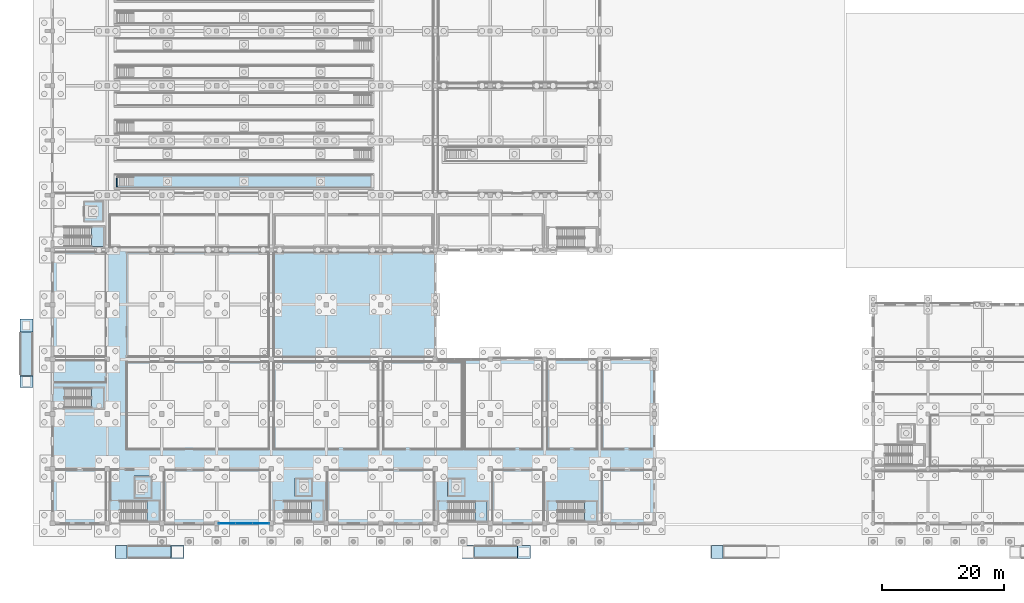
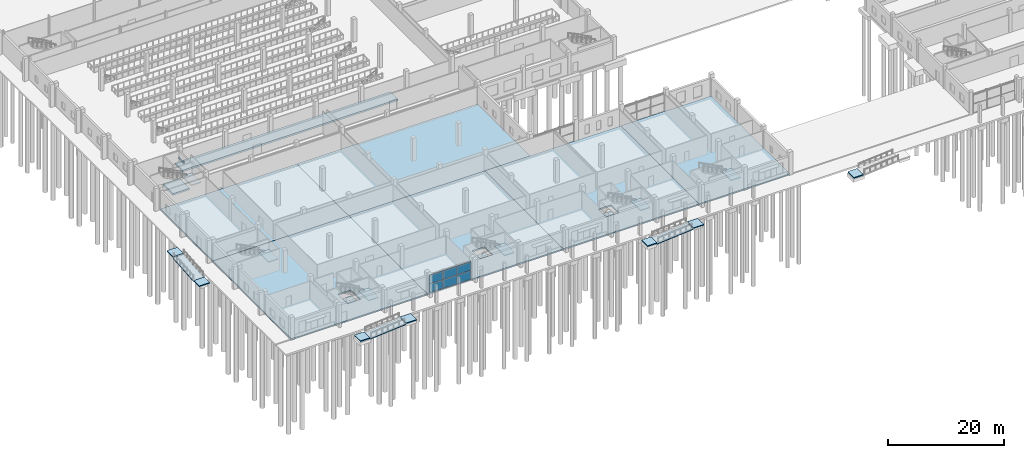
# One storey, part 57 of 112: 28 slabs, 6 plates, 7 elements without a shape of their own.
"""IFC4 building model written with IfcOpenShell, lengths in metres."""

from ifc_helpers import new_model, si_unit, direction, frame, origin, origin_2d, place, context, subcontext, project, spatial, polyline, rectangle, outline, extrude, material, layer, layer_set, type_object, element, aggregate, save


model = new_model("IFC4")

# Units and contexts
model_context = context("Model", 3, precision=1e-05, world=origin(), true_north=direction((0.0, 1.0)))
body_context = subcontext(model_context, "Body", "Model", "MODEL_VIEW")
ifc_project = project(units=[si_unit("LENGTHUNIT", "METRE"), si_unit("AREAUNIT", "SQUARE_METRE"), si_unit("VOLUMEUNIT", "CUBIC_METRE"), si_unit("PLANEANGLEUNIT", "RADIAN"), si_unit("MASSUNIT", "GRAM", prefix="KILO")], contexts=[model_context])

# Site, building, storey
site_placement = place(None, origin())
site = spatial("IfcSite", under=ifc_project, at=site_placement, CompositionType="ELEMENT")
building_placement = place(site_placement, origin())
building = spatial("IfcBuilding", under=site, at=building_placement, Name="Tharagai Park Tramway Depot", CompositionType="ELEMENT")
storey_placement = place(building_placement, origin())
storey = spatial("IfcBuildingStorey", under=building, at=storey_placement, Name="L00", CompositionType="ELEMENT", Elevation=0.0)

# Curtain wall, plates
ifc_material_1 = material(Name="Anodised aluminium", Category="aluminium")
curtain_wall_type = type_object("IfcCurtainWallType", Name="CW-05", PredefinedType="NOTDEFINED", material=ifc_material_1)
curtain_wall_placement = place(storey_placement, origin())
curtain_wall = element("IfcCurtainWall", 1, at=curtain_wall_placement, inside=storey, type_object=curtain_wall_type, Name="L00 V4 Gothic Mullioned Curtain Wall CW-05", PredefinedType="NOTDEFINED")
ifc_material_2 = material(Name="Laminated solar-control glass", Category="glass")
ifc_layer_1 = layer(ifc_material_2, 0.028076171875)
ifc_layer_set_1 = layer_set([ifc_layer_1], Name="Laminated solar-control glass")
plate_type = type_object("IfcPlateType", Name="CP-02", PredefinedType="CURTAIN_PANEL", material=ifc_layer_set_1)
plate_1_placement = place(storey_placement, frame((28.743408203125, 0.0, 0.080078125), z_axis=(0.0, 0.0, 1.0), x_axis=(1.0, 0.0, 0.0)))
plate_1 = element("IfcPlate", 2, at=plate_1_placement, type_object=plate_type, Name="L00 V4 Gothic Mullioned Curtain Wall Glazed Panel 1.1", PredefinedType="CURTAIN_PANEL", context=body_context, shape_type="SweptSolid", body=[
    extrude(rectangle(XDim=2.736572265625, YDim=0.028076171875, at=origin_2d()), origin(), (0.0, 0.0, 1.0), 1.824951171875),
])
plate_2_placement = place(storey_placement, frame((28.743408203125, 0.0, 1.94482421875), z_axis=(0.0, 0.0, 1.0), x_axis=(1.0, 0.0, 0.0)))
plate_2 = element("IfcPlate", 3, at=plate_2_placement, type_object=plate_type, Name="L00 V4 Gothic Mullioned Curtain Wall Glazed Panel 1.2", PredefinedType="CURTAIN_PANEL", context=body_context, shape_type="SweptSolid", body=[
    extrude(rectangle(XDim=2.736572265625, YDim=0.028076171875, at=origin_2d()), origin(), (0.0, 0.0, 1.0), 1.804931640625),
])
plate_3_placement = place(storey_placement, frame((31.5, 0.0, 0.080078125), z_axis=(0.0, 0.0, 1.0), x_axis=(1.0, 0.0, 0.0)))
plate_3 = element("IfcPlate", 4, at=plate_3_placement, type_object=plate_type, Name="L00 V4 Gothic Mullioned Curtain Wall Glazed Panel 2.1", PredefinedType="CURTAIN_PANEL", context=body_context, shape_type="SweptSolid", body=[
    extrude(rectangle(XDim=2.736572265625, YDim=0.028076171875, at=origin_2d()), origin(), (0.0, 0.0, 1.0), 1.824951171875),
])
plate_4_placement = place(storey_placement, frame((31.5, 0.0, 1.94482421875), z_axis=(0.0, 0.0, 1.0), x_axis=(1.0, 0.0, 0.0)))
plate_4 = element("IfcPlate", 5, at=plate_4_placement, type_object=plate_type, Name="L00 V4 Gothic Mullioned Curtain Wall Glazed Panel 2.2", PredefinedType="CURTAIN_PANEL", context=body_context, shape_type="SweptSolid", body=[
    extrude(rectangle(XDim=2.736572265625, YDim=0.028076171875, at=origin_2d()), origin(), (0.0, 0.0, 1.0), 1.804931640625),
])
plate_5_placement = place(storey_placement, frame((34.256591796875, 0.0, 0.080078125), z_axis=(0.0, 0.0, 1.0), x_axis=(1.0, 0.0, 0.0)))
plate_5 = element("IfcPlate", 6, at=plate_5_placement, type_object=plate_type, Name="L00 V4 Gothic Mullioned Curtain Wall Glazed Panel 3.1", PredefinedType="CURTAIN_PANEL", context=body_context, shape_type="SweptSolid", body=[
    extrude(rectangle(XDim=2.736572265625, YDim=0.028076171875, at=origin_2d()), origin(), (0.0, 0.0, 1.0), 1.824951171875),
])
plate_6_placement = place(storey_placement, frame((34.256591796875, 0.0, 1.94482421875), z_axis=(0.0, 0.0, 1.0), x_axis=(1.0, 0.0, 0.0)))
plate_6 = element("IfcPlate", 7, at=plate_6_placement, type_object=plate_type, Name="L00 V4 Gothic Mullioned Curtain Wall Glazed Panel 3.2", PredefinedType="CURTAIN_PANEL", context=body_context, shape_type="SweptSolid", body=[
    extrude(rectangle(XDim=2.736572265625, YDim=0.028076171875, at=origin_2d()), origin(), (0.0, 0.0, 1.0), 1.804931640625),
])
aggregate(curtain_wall, [plate_1, plate_2, plate_3, plate_4, plate_5, plate_6])

# Stair, slab
ifc_material_3 = material(Name="Concrete M35", Category="concrete")
stair_type = type_object("IfcStairType", Name="STT-02", PredefinedType="HALF_TURN_STAIR", material=ifc_material_3)
stair_1_placement = place(storey_placement, origin())
stair_1 = element("IfcStair", 8, at=stair_1_placement, inside=storey, type_object=stair_type, Name="L00 Protected Exit Stair ST-01", PredefinedType="HALF_TURN_STAIR")
ifc_layer_2 = layer(ifc_material_3, 0.199951171875)
ifc_layer_set_2 = layer_set([ifc_layer_2], Name="Concrete M35")
slab_type_1 = type_object("IfcSlabType", Name="LN-01", PredefinedType="LANDING", material=ifc_layer_set_2)
slab_1_placement = place(storey_placement, frame((0.0, 0.0, 2.199951171875)))
slab_1 = element("IfcSlab", 9, at=slab_1_placement, type_object=slab_type_1, Name="ST-01 landing 1", PredefinedType="LANDING", context=body_context, shape_type="SweptSolid", body=[
    extrude(outline(polyline([(15.570068359375, 0.39990234375), (17.47998046875, 0.39990234375), (17.47998046875, 3.64990234375), (15.570068359375, 3.64990234375), (15.570068359375, 0.39990234375)])), origin(), (0.0, 0.0, 1.0), 0.199951171875),
])
aggregate(stair_1, [slab_1])

stair_2_placement = place(storey_placement, origin())
stair_2 = element("IfcStair", 10, at=stair_2_placement, inside=storey, type_object=stair_type, Name="L00 Protected Exit Stair ST-02", PredefinedType="HALF_TURN_STAIR")
slab_2_placement = place(storey_placement, frame((0.0, 0.0, 2.199951171875)))
slab_2 = element("IfcSlab", 11, at=slab_2_placement, type_object=slab_type_1, Name="ST-02 landing 1", PredefinedType="LANDING", context=body_context, shape_type="SweptSolid", body=[
    extrude(outline(polyline([(42.570068359375, 0.39990234375), (44.47998046875, 0.39990234375), (44.47998046875, 3.64990234375), (42.570068359375, 3.64990234375), (42.570068359375, 0.39990234375)])), origin(), (0.0, 0.0, 1.0), 0.199951171875),
])
aggregate(stair_2, [slab_2])

stair_3_placement = place(storey_placement, origin())
stair_3 = element("IfcStair", 12, at=stair_3_placement, inside=storey, type_object=stair_type, Name="L00 Protected Exit Stair ST-03", PredefinedType="HALF_TURN_STAIR")
slab_3_placement = place(storey_placement, frame((0.0, 0.0, 2.199951171875)))
slab_3 = element("IfcSlab", 13, at=slab_3_placement, type_object=slab_type_1, Name="ST-03 landing 1", PredefinedType="LANDING", context=body_context, shape_type="SweptSolid", body=[
    extrude(outline(polyline([(6.449951171875, 19.0), (8.360107421875, 19.0), (8.360107421875, 22.25), (6.449951171875, 22.25), (6.449951171875, 19.0)])), origin(), (0.0, 0.0, 1.0), 0.199951171875),
])
aggregate(stair_3, [slab_3])

stair_4_placement = place(storey_placement, origin())
stair_4 = element("IfcStair", 14, at=stair_4_placement, inside=storey, type_object=stair_type, Name="L00 Protected Exit Stair ST-04", PredefinedType="HALF_TURN_STAIR")
slab_4_placement = place(storey_placement, frame((0.0, 0.0, 2.199951171875)))
slab_4 = element("IfcSlab", 15, at=slab_4_placement, type_object=slab_type_1, Name="ST-04 landing 1", PredefinedType="LANDING", context=body_context, shape_type="SweptSolid", body=[
    extrude(outline(polyline([(69.5400390625, 0.39990234375), (71.47998046875, 0.39990234375), (71.47998046875, 3.590087890625), (69.5400390625, 3.590087890625), (69.5400390625, 0.39990234375)])), origin(), (0.0, 0.0, 1.0), 0.199951171875),
])
aggregate(stair_4, [slab_4])

stair_5_placement = place(storey_placement, origin())
stair_5 = element("IfcStair", 16, at=stair_5_placement, inside=storey, type_object=stair_type, Name="L00 Protected Exit Stair ST-05", PredefinedType="HALF_TURN_STAIR")
slab_5_placement = place(storey_placement, frame((0.0, 0.0, 2.199951171875)))
slab_5 = element("IfcSlab", 17, at=slab_5_placement, type_object=slab_type_1, Name="ST-05 landing 1", PredefinedType="LANDING", context=body_context, shape_type="SweptSolid", body=[
    extrude(outline(polyline([(87.5400390625, 0.39990234375), (89.47998046875, 0.39990234375), (89.47998046875, 3.590087890625), (87.5400390625, 3.590087890625), (87.5400390625, 0.39990234375)])), origin(), (0.0, 0.0, 1.0), 0.199951171875),
])
aggregate(stair_5, [slab_5])

stair_6_placement = place(storey_placement, origin())
stair_6 = element("IfcStair", 18, at=stair_6_placement, inside=storey, type_object=stair_type, Name="L00 Protected Exit Stair ST-08", PredefinedType="HALF_TURN_STAIR")
slab_6_placement = place(storey_placement, frame((0.0, 0.0, 2.199951171875)))
slab_6 = element("IfcSlab", 19, at=slab_6_placement, type_object=slab_type_1, Name="ST-08 landing 1", PredefinedType="LANDING", context=body_context, shape_type="SweptSolid", body=[
    extrude(outline(polyline([(6.419921875, 45.550048828125), (8.360107421875, 45.550048828125), (8.360107421875, 48.739990234375), (6.419921875, 48.739990234375), (6.419921875, 45.550048828125)])), origin(), (0.0, 0.0, 1.0), 0.199951171875),
])
aggregate(stair_6, [slab_6])

# Slabs
ifc_material_4 = material(Name="Concrete M40", Category="concrete")
ifc_layer_3 = layer(ifc_material_4, 0.35009765625)
ifc_layer_set_3 = layer_set([ifc_layer_3], Name="Concrete M40")
slab_type_2 = type_object("IfcSlabType", Name="SB-02", PredefinedType="BASESLAB", material=ifc_layer_set_3)
slab_7_placement = place(storey_placement, frame((0.0, 0.0, -1.85009765625)))
element("IfcSlab", 20, at=slab_7_placement, inside=storey, type_object=slab_type_2, Name="Inspection Pit Track 1 Base Slab", PredefinedType="BASESLAB", context=body_context, shape_type="SweptSolid", body=[
    extrude(outline(polyline([(10.14990234375, 54.949951171875), (52.85009765625, 54.949951171875), (52.85009765625, 57.550048828125), (10.14990234375, 57.550048828125), (10.14990234375, 54.949951171875)])), origin(), (0.0, 0.0, 1.0), 0.35009765625),
])
slab_8_placement = place(storey_placement, frame((0.0, 0.0, -1.75)))
element("IfcSlab", 21, at=slab_8_placement, inside=storey, type_object=slab_type_2, Name="Lift LF-01 Pit Base Slab", PredefinedType="BASESLAB", context=body_context, shape_type="SweptSolid", body=[
    extrude(outline(polyline([(13.39990234375, 4.10009765625), (16.39990234375, 4.10009765625), (16.39990234375, 7.800048828125), (13.39990234375, 7.800048828125), (13.39990234375, 4.10009765625)])), origin(), (0.0, 0.0, 1.0), 0.35009765625),
])
slab_9_placement = place(storey_placement, frame((0.0, 0.0, -1.75)))
element("IfcSlab", 22, at=slab_9_placement, inside=storey, type_object=slab_type_2, Name="Lift LP-01 Pit Base Slab", PredefinedType="BASESLAB", context=body_context, shape_type="SweptSolid", body=[
    extrude(outline(polyline([(39.89990234375, 4.39990234375), (42.800048828125, 4.39990234375), (42.800048828125, 7.5), (39.89990234375, 7.5), (39.89990234375, 4.39990234375)])), origin(), (0.0, 0.0, 1.0), 0.35009765625),
])
slab_10_placement = place(storey_placement, frame((0.0, 0.0, -1.75)))
element("IfcSlab", 23, at=slab_10_placement, inside=storey, type_object=slab_type_2, Name="Lift LP-02 Pit Base Slab", PredefinedType="BASESLAB", context=body_context, shape_type="SweptSolid", body=[
    extrude(outline(polyline([(65.0, 4.39990234375), (67.89990234375, 4.39990234375), (67.89990234375, 7.5), (65.0, 7.5), (65.0, 4.39990234375)])), origin(), (0.0, 0.0, 1.0), 0.35009765625),
])
slab_11_placement = place(storey_placement, frame((0.0, 0.0, -1.75)))
element("IfcSlab", 24, at=slab_11_placement, inside=storey, type_object=slab_type_2, Name="Lift LG-01 Pit Base Slab", PredefinedType="BASESLAB", context=body_context, shape_type="SweptSolid", body=[
    extrude(outline(polyline([(5.10009765625, 49.60009765625), (8.39990234375, 49.60009765625), (8.39990234375, 53.0), (5.10009765625, 53.0), (5.10009765625, 49.60009765625)])), origin(), (0.0, 0.0, 1.0), 0.35009765625),
])
ifc_layer_4 = layer(ifc_material_3, 0.300048828125)
ifc_layer_set_4 = layer_set([ifc_layer_4], Name="Concrete M35")
slab_type_3 = type_object("IfcSlabType", Name="SB-05", PredefinedType="BASESLAB", material=ifc_layer_set_4)
slab_12_placement = place(storey_placement, frame((0.0, 0.0, -0.300048828125)))
element("IfcSlab", 25, at=slab_12_placement, inside=storey, type_object=slab_type_3, Name="L00 V4 Ground Slab Bay 1", PredefinedType="BASESLAB", context=body_context, shape_type="SweptSolid", body=[
    extrude(outline(polyline([(0.0, 0.0), (27.0, 0.0), (27.0, 27.0), (0.0, 27.0), (0.0, 0.0)]), holes=[polyline([(13.60009765625, 4.300048828125), (16.199951171875, 4.300048828125), (16.199951171875, 7.60009765625), (13.60009765625, 7.60009765625), (13.60009765625, 4.300048828125)])]), origin(), (0.0, 0.0, 1.0), 0.300048828125),
])
slab_13_placement = place(storey_placement, frame((0.0, 0.0, -0.300048828125)))
element("IfcSlab", 26, at=slab_13_placement, inside=storey, type_object=slab_type_3, Name="L00 V4 Ground Slab Bay 2", PredefinedType="BASESLAB", context=body_context, shape_type="SweptSolid", body=[
    extrude(outline(polyline([(27.0, 0.0), (54.0, 0.0), (54.0, 27.0), (27.0, 27.0), (27.0, 0.0)]), holes=[polyline([(40.10009765625, 4.60009765625), (42.60009765625, 4.60009765625), (42.60009765625, 7.300048828125), (40.10009765625, 7.300048828125), (40.10009765625, 4.60009765625)])]), origin(), (0.0, 0.0, 1.0), 0.300048828125),
])
slab_14_placement = place(storey_placement, frame((0.0, 0.0, -0.300048828125)))
element("IfcSlab", 27, at=slab_14_placement, inside=storey, type_object=slab_type_3, Name="L00 V4 Ground Slab Bay 3", PredefinedType="BASESLAB", context=body_context, shape_type="SweptSolid", body=[
    extrude(outline(polyline([(54.0, 0.0), (81.0, 0.0), (81.0, 27.0), (54.0, 27.0), (54.0, 0.0)]), holes=[polyline([(65.199951171875, 4.60009765625), (67.699951171875, 4.60009765625), (67.699951171875, 7.300048828125), (65.199951171875, 7.300048828125), (65.199951171875, 4.60009765625)])]), origin(), (0.0, 0.0, 1.0), 0.300048828125),
])
slab_15_placement = place(storey_placement, frame((0.0, 0.0, -0.300048828125)))
element("IfcSlab", 28, at=slab_15_placement, inside=storey, type_object=slab_type_3, Name="L00 V4 Ground Slab Bay 4", PredefinedType="BASESLAB", context=body_context, shape_type="SweptSolid", body=[
    extrude(outline(polyline([(81.0, 0.0), (99.0, 0.0), (99.0, 27.0), (81.0, 27.0), (81.0, 0.0)])), origin(), (0.0, 0.0, 1.0), 0.300048828125),
])
slab_16_placement = place(storey_placement, frame((0.0, 0.0, -0.300048828125)))
element("IfcSlab", 29, at=slab_16_placement, inside=storey, type_object=slab_type_3, Name="L00 V4 Ground Slab Bay 1", PredefinedType="BASESLAB", context=body_context, shape_type="SweptSolid", body=[
    extrude(outline(polyline([(0.0, 27.0), (27.0, 27.0), (27.0, 45.0), (0.0, 45.0), (0.0, 27.0)])), origin(), (0.0, 0.0, 1.0), 0.300048828125),
])
slab_17_placement = place(storey_placement, frame((0.0, 0.0, -0.300048828125)))
element("IfcSlab", 30, at=slab_17_placement, inside=storey, type_object=slab_type_3, Name="L00 V4 Ground Slab Bay 2", PredefinedType="BASESLAB", context=body_context, shape_type="SweptSolid", body=[
    extrude(outline(polyline([(27.0, 27.0), (63.0, 27.0), (63.0, 45.0), (27.0, 45.0), (27.0, 27.0)])), origin(), (0.0, 0.0, 1.0), 0.300048828125),
])
ifc_layer_5 = layer(ifc_material_3, 0.159912109375)
ifc_layer_set_5 = layer_set([ifc_layer_5], Name="Concrete M35")
slab_type_4 = type_object("IfcSlabType", Name="SB-07", PredefinedType="LANDING", material=ifc_layer_set_5)
for number, where, z_axis, x_axis, name in (
    (31, (12.340087890625, -5.75, -0.81494140625), (-0.083953161792, 0.0, 0.99646970181), (0.0, 1.0, 0.0), "Ramp RMP-01 Sloped Structural Sub-Slab"),
    (32, (69.340087890625, -5.75, -0.81494140625), (-0.083953161792, 0.0, 0.99646970181), (0.0, 1.0, 0.0), "Ramp RMP-02 Sloped Structural Sub-Slab"),
    (33, (-3.25, 24.340087890625, -0.81494140625), (0.0, -0.083953161792, 0.99646970181), (-1.0, 0.0, 0.0), "Ramp RMP-04 Sloped Structural Sub-Slab"),
):
    element("IfcSlab", number, at=place(storey_placement, frame(where, z_axis=z_axis, x_axis=x_axis)), inside=storey, type_object=slab_type_4, Name=name, PredefinedType="LANDING", context=body_context, shape_type="SweptSolid", body=[
        extrude(outline(polyline([(0.0, 0.0), (2.10009765625, 0.0), (2.10009765625, -7.145097371192696), (0.0, -7.145097371192696), (0.0, 0.0)])), origin(), (0.0, 0.0, -1.0), 0.159912109375),
    ])
ifc_layer_6 = layer(ifc_material_3, 0.205078125)
ifc_layer_set_6 = layer_set([ifc_layer_6], Name="Concrete M35")
slab_type_5 = type_object("IfcSlabType", Name="SB-08", PredefinedType="LANDING", material=ifc_layer_set_6)
slab_18_placement = place(storey_placement, frame((0.0, 0.0, -0.804931640625)))
element("IfcSlab", 34, at=slab_18_placement, inside=storey, type_object=slab_type_5, Name="Ramp RMP-01 Bottom Landing", PredefinedType="LANDING", context=body_context, shape_type="SweptSolid", body=[
    extrude(outline(polyline([(10.39990234375, -5.75), (12.280029296875, -5.75), (12.280029296875, -3.64990234375), (10.39990234375, -3.64990234375), (10.39990234375, -5.75)])), origin(), (0.0, 0.0, 1.0), 0.204833984375),
])
slab_19_placement = place(storey_placement, frame((0.0, 0.0, -0.205078125)))
element("IfcSlab", 35, at=slab_19_placement, inside=storey, type_object=slab_type_5, Name="Ramp RMP-01 Top Landing", PredefinedType="LANDING", context=body_context, shape_type="SweptSolid", body=[
    extrude(outline(polyline([(19.52001953125, -5.75), (21.60009765625, -5.75), (21.60009765625, -3.64990234375), (19.52001953125, -3.64990234375), (19.52001953125, -5.75)])), origin(), (0.0, 0.0, 1.0), 0.205078125),
])
slab_20_placement = place(storey_placement, frame((0.0, 0.0, -0.804931640625)))
element("IfcSlab", 36, at=slab_20_placement, inside=storey, type_object=slab_type_5, Name="Ramp RMP-02 Bottom Landing", PredefinedType="LANDING", context=body_context, shape_type="SweptSolid", body=[
    extrude(outline(polyline([(67.39990234375, -5.75), (69.280029296875, -5.75), (69.280029296875, -3.64990234375), (67.39990234375, -3.64990234375), (67.39990234375, -5.75)])), origin(), (0.0, 0.0, 1.0), 0.204833984375),
])
slab_21_placement = place(storey_placement, frame((0.0, 0.0, -0.205078125)))
element("IfcSlab", 37, at=slab_21_placement, inside=storey, type_object=slab_type_5, Name="Ramp RMP-02 Top Landing", PredefinedType="LANDING", context=body_context, shape_type="SweptSolid", body=[
    extrude(outline(polyline([(76.52001953125, -5.75), (78.60009765625, -5.75), (78.60009765625, -3.64990234375), (76.52001953125, -3.64990234375), (76.52001953125, -5.75)])), origin(), (0.0, 0.0, 1.0), 0.205078125),
])
slab_22_placement = place(storey_placement, frame((0.0, 0.0, -0.804931640625)))
element("IfcSlab", 38, at=slab_22_placement, inside=storey, type_object=slab_type_5, Name="Ramp RMP-04 Bottom Landing", PredefinedType="LANDING", context=body_context, shape_type="SweptSolid", body=[
    extrude(outline(polyline([(-5.35009765625, 22.39990234375), (-3.25, 22.39990234375), (-3.25, 24.280029296875), (-5.35009765625, 24.280029296875), (-5.35009765625, 22.39990234375)])), origin(), (0.0, 0.0, 1.0), 0.204833984375),
])
slab_23_placement = place(storey_placement, frame((0.0, 0.0, -0.205078125)))
element("IfcSlab", 39, at=slab_23_placement, inside=storey, type_object=slab_type_5, Name="Ramp RMP-04 Top Landing", PredefinedType="LANDING", context=body_context, shape_type="SweptSolid", body=[
    extrude(outline(polyline([(-5.35009765625, 31.52001953125), (-3.25, 31.52001953125), (-3.25, 33.60009765625), (-5.35009765625, 33.60009765625), (-5.35009765625, 31.52001953125)])), origin(), (0.0, 0.0, 1.0), 0.205078125),
])
slab_24_placement = place(storey_placement, frame((0.0, 0.0, -0.804931640625)))
element("IfcSlab", 40, at=slab_24_placement, inside=storey, type_object=slab_type_5, Name="Ramp RMP-05 Bottom Landing", PredefinedType="LANDING", context=body_context, shape_type="SweptSolid", body=[
    extrude(outline(polyline([(108.39990234375, -5.75), (110.280029296875, -5.75), (110.280029296875, -3.64990234375), (108.39990234375, -3.64990234375), (108.39990234375, -5.75)])), origin(), (0.0, 0.0, 1.0), 0.204833984375),
])
ifc_layer_7 = layer(ifc_material_4, 0.219970703125)
ifc_layer_set_7 = layer_set([ifc_layer_7], Name="Concrete M40")
slab_type_6 = type_object("IfcSlabType", Name="SB-09", PredefinedType="BASESLAB", material=ifc_layer_set_7)
slab_25_placement = place(storey_placement, frame((0.0, 0.0, -0.385009765625)))
element("IfcSlab", 41, at=slab_25_placement, inside=storey, type_object=slab_type_6, Name="Inspection Pit Track 1 Stair Head Corbel Slab", PredefinedType="BASESLAB", context=body_context, shape_type="SweptSolid", body=[
    extrude(outline(polyline([(10.5, 55.35009765625), (10.679931640625, 55.35009765625), (10.679931640625, 57.14990234375), (10.5, 57.14990234375), (10.5, 55.35009765625)])), origin(), (0.0, 0.0, 1.0), 0.219970703125),
])

save(model, "model.ifc")
